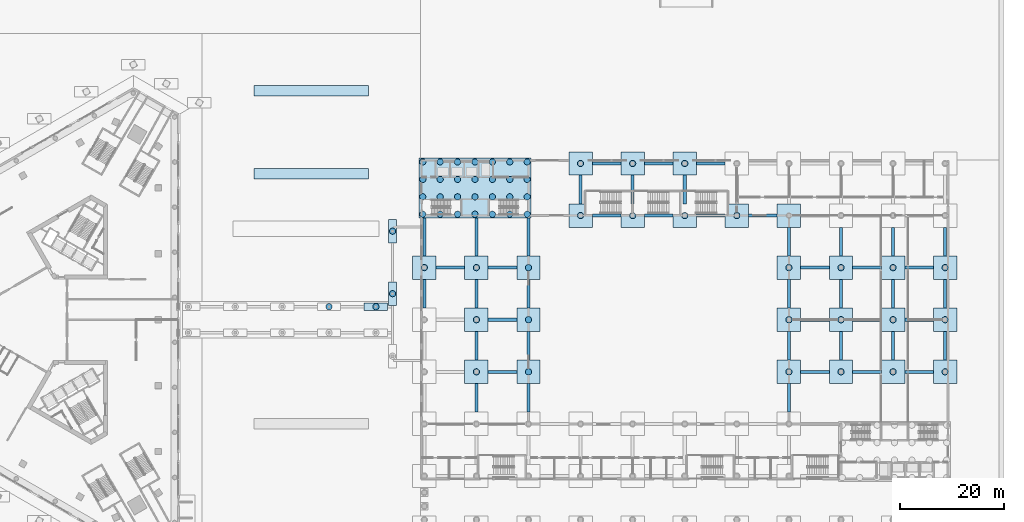
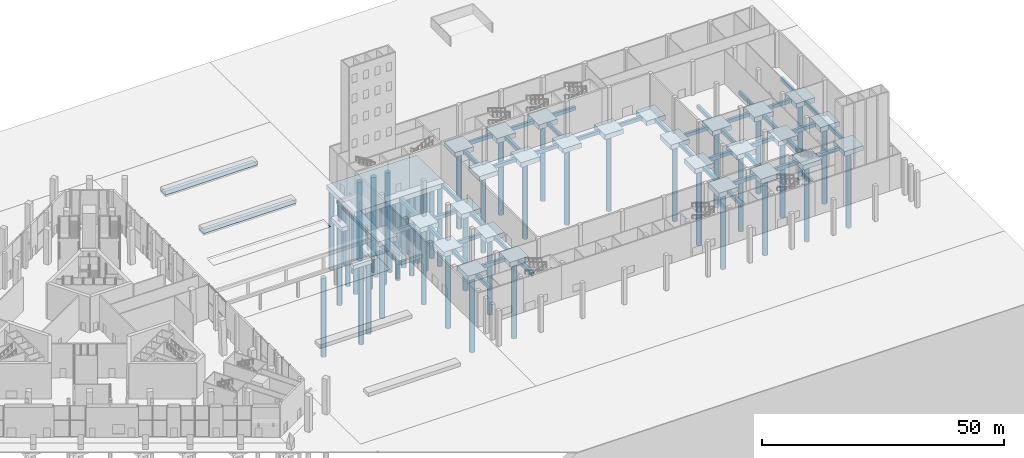
# One storey, part 3 of 63: 79 footings, 58 piles.
"""IFC4 building model written with IfcOpenShell, lengths in metres."""

from ifc_helpers import new_model, si_unit, direction, frame, origin, origin_2d, place, context, subcontext, project, spatial, polyline, rectangle, circle, outline, extrude, material, layer, layer_set, material_profile, profile_set, type_object, element, save


model = new_model("IFC4")

# Units and contexts
model_context = context("Model", 3, precision=1e-05, world=origin(), true_north=direction((0.0, 1.0)))
body_context = subcontext(model_context, "Body", "Model", "MODEL_VIEW")
ifc_project = project(units=[si_unit("LENGTHUNIT", "METRE"), si_unit("AREAUNIT", "SQUARE_METRE"), si_unit("VOLUMEUNIT", "CUBIC_METRE"), si_unit("PLANEANGLEUNIT", "RADIAN"), si_unit("MASSUNIT", "GRAM", prefix="KILO")], contexts=[model_context])

# Site, building, storey
site_placement = place(None, origin())
site = spatial("IfcSite", under=ifc_project, at=site_placement, CompositionType="ELEMENT")
building_placement = place(site_placement, origin())
building = spatial("IfcBuilding", under=site, at=building_placement, Name="Jabali Bay Hotel Tower and Convention Centre", CompositionType="ELEMENT")
storey_placement = place(building_placement, origin())
storey = spatial("IfcBuildingStorey", under=building, at=storey_placement, Name="L00", CompositionType="ELEMENT", Elevation=0.0)

# Piles
ifc_material_1 = material(Name="Concrete C45", Category="concrete")
ifc_material_profile_1 = material_profile(ifc_material_1, circle(Radius=0.60009765625, at=origin_2d()), Name="D1200")
ifc_profile_set_1 = profile_set([ifc_material_profile_1], Name="Concrete C45")
pile_type_1 = type_object("IfcPileType", Name="CC Bored Pile D1200", PredefinedType="BORED", material=ifc_profile_set_1)
for number, where, z_axis, x_axis, name in (
    (1, (150.699951171875, 90.0, -2.300048828125), (0.0, 0.0, -1.0), (1.0, 0.0, 0.0), "CC pile 5"),
    (2, (160.699951171875, 70.0, -2.300048828125), (0.0, 0.0, -1.0), (1.0, 0.0, 0.0), "CC pile 8"),
    (3, (160.699951171875, 80.0, -2.300048828125), (0.0, 0.0, -1.0), (1.0, 0.0, 0.0), "CC pile 9"),
    (4, (160.699951171875, 90.0, -2.300048828125), (0.0, 0.0, -1.0), (1.0, 0.0, 0.0), "CC pile 10"),
    (5, (170.699951171875, 70.0, -2.300048828125), (0.0, 0.0, -1.0), (1.0, 0.0, 0.0), "CC pile 13"),
    (6, (170.699951171875, 80.0, -2.300048828125), (0.0, 0.0, -1.0), (1.0, 0.0, 0.0), "CC pile 14"),
    (7, (170.699951171875, 90.0, -2.300048828125), (0.0, 0.0, -1.0), (1.0, 0.0, 0.0), "CC pile 15"),
    (8, (180.699951171875, 100.0, -2.300048828125), (0.0, 0.0, -1.0), (1.0, 0.0, 0.0), "CC pile 18"),
    (9, (180.699951171875, 110.0, -2.300048828125), (0.0, 0.0, -1.0), (1.0, 0.0, 0.0), "CC pile 19"),
    (10, (190.699951171875, 100.0, -2.300048828125), (0.0, 0.0, -1.0), (1.0, 0.0, 0.0), "CC pile 22"),
    (11, (190.699951171875, 110.0, -2.300048828125), (0.0, 0.0, -1.0), (1.0, 0.0, 0.0), "CC pile 23"),
    (12, (200.699951171875, 100.0, -2.300048828125), (0.0, 0.0, -1.0), (1.0, 0.0, 0.0), "CC pile 26"),
    (13, (200.699951171875, 110.0, -2.300048828125), (0.0, 0.0, -1.0), (1.0, 0.0, 0.0), "CC pile 27"),
    (14, (210.699951171875, 100.0, -2.300048828125), (0.0, 0.0, -1.0), (1.0, 0.0, 0.0), "CC pile 30"),
    (15, (220.699951171875, 70.0, -2.300048828125), (0.0, 0.0, -1.0), (1.0, 0.0, 0.0), "CC pile 34"),
    (16, (220.699951171875, 80.0, -2.300048828125), (0.0, 0.0, -1.0), (1.0, 0.0, 0.0), "CC pile 35"),
    (17, (220.699951171875, 90.0, -2.300048828125), (0.0, 0.0, -1.0), (1.0, 0.0, 0.0), "CC pile 36"),
    (18, (230.699951171875, 70.0, -2.300048828125), (0.0, 0.0, -1.0), (1.0, 0.0, 0.0), "CC pile 39"),
    (19, (230.699951171875, 80.0, -2.300048828125), (0.0, 0.0, -1.0), (1.0, 0.0, 0.0), "CC pile 40"),
    (20, (230.699951171875, 90.0, -2.300048828125), (0.0, 0.0, -1.0), (1.0, 0.0, 0.0), "CC pile 41"),
    (21, (240.699951171875, 70.0, -2.300048828125), (0.0, 0.0, -1.0), (1.0, 0.0, 0.0), "CC pile 44"),
    (22, (240.699951171875, 80.0, -2.300048828125), (0.0, 0.0, -1.0), (1.0, 0.0, 0.0), "CC pile 45"),
    (23, (240.699951171875, 90.0, -2.300048828125), (0.0, 0.0, -1.0), (1.0, 0.0, 0.0), "CC pile 46"),
    (24, (250.699951171875, 70.0, -2.300048828125), (0.0, 0.0, -1.0), (1.0, 0.0, 0.0), "CC pile 49"),
    (25, (250.699951171875, 80.0, -2.300048828125), (0.0, 0.0, -1.0), (1.0, 0.0, 0.0), "CC pile 50"),
    (26, (250.699951171875, 90.0, -2.300048828125), (0.0, 0.0, -1.0), (1.0, 0.0, 0.0), "CC pile 51"),
    (27, (150.39990234375, 100.25, -2.300048828125), (0.0, 0.0, -1.0), (1.0, 0.0, 0.0), "CC pile 54"),
    (28, (150.39990234375, 103.60009765625, -2.300048828125), (0.0, 0.0, -1.0), (1.0, 0.0, 0.0), "CC pile 55"),
    (29, (150.39990234375, 106.949951171875, -2.300048828125), (0.0, 0.0, -1.0), (1.0, 0.0, 0.0), "CC pile 56"),
    (30, (150.39990234375, 110.300048828125, -2.300048828125), (0.0, 0.0, -1.0), (1.0, 0.0, 0.0), "CC pile 57"),
    (31, (153.74169921875, 100.25, -2.300048828125), (0.0, 0.0, -1.0), (1.0, 0.0, 0.0), "CC pile 58"),
    (32, (153.74169921875, 103.60009765625, -2.300048828125), (0.0, 0.0, -1.0), (1.0, 0.0, 0.0), "CC pile 59"),
    (33, (153.74169921875, 106.949951171875, -2.300048828125), (0.0, 0.0, -1.0), (1.0, 0.0, 0.0), "CC pile 60"),
    (34, (153.74169921875, 110.300048828125, -2.300048828125), (0.0, 0.0, -1.0), (1.0, 0.0, 0.0), "CC pile 61"),
    (35, (157.083251953125, 100.25, -2.300048828125), (0.0, 0.0, -1.0), (1.0, 0.0, 0.0), "CC pile 62"),
    (36, (157.083251953125, 103.60009765625, -2.300048828125), (0.0, 0.0, -1.0), (1.0, 0.0, 0.0), "CC pile 63"),
    (37, (157.083251953125, 106.949951171875, -2.300048828125), (0.0, 0.0, -1.0), (1.0, 0.0, 0.0), "CC pile 64"),
    (38, (157.083251953125, 110.300048828125, -2.300048828125), (0.0, 0.0, -1.0), (1.0, 0.0, 0.0), "CC pile 65"),
    (39, (160.425048828125, 100.25, -2.300048828125), (0.0, 0.0, -1.0), (1.0, 0.0, 0.0), "CC pile 66"),
    (40, (160.425048828125, 103.60009765625, -2.300048828125), (0.0, 0.0, -1.0), (1.0, 0.0, 0.0), "CC pile 67"),
    (41, (160.425048828125, 106.949951171875, -2.300048828125), (0.0, 0.0, -1.0), (1.0, 0.0, 0.0), "CC pile 68"),
    (42, (160.425048828125, 110.300048828125, -2.300048828125), (0.0, 0.0, -1.0), (1.0, 0.0, 0.0), "CC pile 69"),
    (43, (163.7666015625, 100.25, -2.300048828125), (0.0, 0.0, -1.0), (1.0, 0.0, 0.0), "CC pile 70"),
    (44, (163.7666015625, 103.60009765625, -2.300048828125), (0.0, 0.0, -1.0), (1.0, 0.0, 0.0), "CC pile 71"),
    (45, (163.7666015625, 106.949951171875, -2.300048828125), (0.0, 0.0, -1.0), (1.0, 0.0, 0.0), "CC pile 72"),
    (46, (163.7666015625, 110.300048828125, -2.300048828125), (0.0, 0.0, -1.0), (1.0, 0.0, 0.0), "CC pile 73"),
    (47, (167.1083984375, 100.25, -2.300048828125), (0.0, 0.0, -1.0), (1.0, 0.0, 0.0), "CC pile 74"),
    (48, (167.1083984375, 103.60009765625, -2.300048828125), (0.0, 0.0, -1.0), (1.0, 0.0, 0.0), "CC pile 75"),
    (49, (167.1083984375, 106.949951171875, -2.300048828125), (0.0, 0.0, -1.0), (1.0, 0.0, 0.0), "CC pile 76"),
    (50, (167.1083984375, 110.300048828125, -2.300048828125), (0.0, 0.0, -1.0), (1.0, 0.0, 0.0), "CC pile 77"),
    (51, (170.449951171875, 100.25, -2.300048828125), (0.0, 0.0, -1.0), (1.0, 0.0, 0.0), "CC pile 78"),
    (52, (170.449951171875, 103.60009765625, -2.300048828125), (0.0, 0.0, -1.0), (1.0, 0.0, 0.0), "CC pile 79"),
    (53, (170.449951171875, 106.949951171875, -2.300048828125), (0.0, 0.0, -1.0), (1.0, 0.0, 0.0), "CC pile 80"),
    (54, (170.449951171875, 110.300048828125, -2.300048828125), (0.0, 0.0, -1.0), (1.0, 0.0, 0.0), "CC pile 81"),
    (55, (144.60009765625, 85.0, -1.10009765625), (0.0, 0.0, -1.0), (1.0, 0.0, 0.0), "CC pile 111"),
    (56, (144.60009765625, 97.0, -1.10009765625), (0.0, 0.0, -1.0), (1.0, 0.0, 0.0), "CC pile 112"),
):
    element("IfcPile", number, at=place(storey_placement, frame(where, z_axis=z_axis, x_axis=x_axis)), inside=storey, type_object=pile_type_1, Name=name, PredefinedType="BORED", context=body_context, shape_type="SweptSolid", body=[
        extrude(circle(Radius=0.60009765625, at=origin_2d()), origin(), (0.0, 0.0, 1.0), 20.0),
    ])

# Footings
footing_type_1 = type_object("IfcFootingType", Name="CC Canopy Pad Cap 1500x4500x1000", PredefinedType="PILE_CAP", material=ifc_material_1)
footing_1_placement = place(storey_placement, frame((0.0, 0.0, -1.199951171875)))
element("IfcFooting", 57, at=footing_1_placement, inside=storey, type_object=footing_type_1, Name="CC canopy pad cap 2", PredefinedType="PILE_CAP", context=body_context, shape_type="SweptSolid", body=[
    extrude(outline(polyline([(143.85009765625, 82.75), (145.35009765625, 82.75), (145.35009765625, 87.25), (143.85009765625, 87.25), (143.85009765625, 82.75)])), origin(), (0.0, 0.0, 1.0), 1.0),
])
footing_2_placement = place(storey_placement, frame((0.0, 0.0, -1.199951171875)))
element("IfcFooting", 58, at=footing_2_placement, inside=storey, type_object=footing_type_1, Name="CC canopy pad cap 3", PredefinedType="PILE_CAP", context=body_context, shape_type="SweptSolid", body=[
    extrude(outline(polyline([(143.85009765625, 94.75), (145.35009765625, 94.75), (145.35009765625, 99.25), (143.85009765625, 99.25), (143.85009765625, 94.75)])), origin(), (0.0, 0.0, 1.0), 1.0),
])
ifc_layer = layer(ifc_material_1, 1.199951171875)
ifc_layer_set = layer_set([ifc_layer], Name="Concrete C45")
footing_type_2 = type_object("IfcFootingType", Name="CC Core Raft 1200", PredefinedType="PILE_CAP", material=ifc_layer_set)
footing_3_placement = place(storey_placement, frame((0.0, 0.0, -2.39990234375)))
element("IfcFooting", 59, at=footing_3_placement, inside=storey, type_object=footing_type_2, Name="CC west core raft", PredefinedType="PILE_CAP", context=body_context, shape_type="SweptSolid", body=[
    extrude(outline(polyline([(149.64990234375, 99.5), (171.199951171875, 99.5), (171.199951171875, 111.050048828125), (149.64990234375, 111.050048828125), (149.64990234375, 99.5)])), origin(), (0.0, 0.0, 1.0), 1.199951171875),
])
ifc_material_profile_2 = material_profile(ifc_material_1, rectangle(XDim=0.60009765625, YDim=0.89990234375, at=origin_2d()), Name="RC 600x900")
ifc_profile_set_2 = profile_set([ifc_material_profile_2], Name="Concrete C45")
footing_type_3 = type_object("IfcFootingType", Name="CC Ground Beam 600x900", PredefinedType="FOOTING_BEAM", material=ifc_profile_set_2)
for number, where, z_axis, x_axis, name in (
    (60, (150.699951171875, 82.25, -1.64990234375), (0.0, 1.0, 0.0), (-1.0, 0.0, 0.0), "CC ground beam CC1/D"),
    (61, (152.949951171875, 90.0, -1.64990234375), (1.0, 0.0, 0.0), (0.0, 1.0, 0.0), "CC ground beam CC1/E"),
):
    element("IfcFooting", number, at=place(storey_placement, frame(where, z_axis=z_axis, x_axis=x_axis)), inside=storey, type_object=footing_type_3, Name=name, PredefinedType="FOOTING_BEAM", context=body_context, shape_type="SweptSolid", body=[
        extrude(rectangle(XDim=0.60009765625, YDim=0.89990234375, at=origin_2d()), origin(), (0.0, 0.0, 1.0), 5.5),
    ])
footing_4_placement = place(storey_placement, frame((150.699951171875, 92.25, -1.64990234375), z_axis=(0.0, 1.0, 0.0), x_axis=(-1.0, 0.0, 0.0)))
element("IfcFooting", 62, at=footing_4_placement, inside=storey, type_object=footing_type_3, Name="CC ground beam CC1/E", PredefinedType="FOOTING_BEAM", context=body_context, shape_type="SweptSolid", body=[
    extrude(rectangle(XDim=0.60009765625, YDim=0.89990234375, at=origin_2d()), origin(), (0.0, 0.0, 1.0), 7.25),
])
for number, where, z_axis, x_axis, name in (
    (63, (160.699951171875, 62.25, -1.64990234375), (0.0, 1.0, 0.0), (-1.0, 0.0, 0.0), "CC ground beam CC2/B"),
    (64, (162.949951171875, 70.0, -1.64990234375), (1.0, 0.0, 0.0), (0.0, 1.0, 0.0), "CC ground beam CC2/C"),
    (65, (160.699951171875, 72.25, -1.64990234375), (0.0, 1.0, 0.0), (-1.0, 0.0, 0.0), "CC ground beam CC2/C"),
    (66, (162.949951171875, 80.0, -1.64990234375), (1.0, 0.0, 0.0), (0.0, 1.0, 0.0), "CC ground beam CC2/D"),
    (67, (160.699951171875, 82.25, -1.64990234375), (0.0, 1.0, 0.0), (-1.0, 0.0, 0.0), "CC ground beam CC2/D"),
    (68, (162.949951171875, 90.0, -1.64990234375), (1.0, 0.0, 0.0), (0.0, 1.0, 0.0), "CC ground beam CC2/E"),
):
    element("IfcFooting", number, at=place(storey_placement, frame(where, z_axis=z_axis, x_axis=x_axis)), inside=storey, type_object=footing_type_3, Name=name, PredefinedType="FOOTING_BEAM", context=body_context, shape_type="SweptSolid", body=[
        extrude(rectangle(XDim=0.60009765625, YDim=0.89990234375, at=origin_2d()), origin(), (0.0, 0.0, 1.0), 5.5),
    ])
footing_5_placement = place(storey_placement, frame((160.699951171875, 92.25, -1.64990234375), z_axis=(0.0, 1.0, 0.0), x_axis=(-1.0, 0.0, 0.0)))
element("IfcFooting", 69, at=footing_5_placement, inside=storey, type_object=footing_type_3, Name="CC ground beam CC2/E", PredefinedType="FOOTING_BEAM", context=body_context, shape_type="SweptSolid", body=[
    extrude(rectangle(XDim=0.60009765625, YDim=0.89990234375, at=origin_2d()), origin(), (0.0, 0.0, 1.0), 7.25),
])
for number, where, z_axis, x_axis, name in (
    (70, (170.699951171875, 62.25, -1.64990234375), (0.0, 1.0, 0.0), (-1.0, 0.0, 0.0), "CC ground beam CC3/B"),
    (71, (170.699951171875, 72.25, -1.64990234375), (0.0, 1.0, 0.0), (-1.0, 0.0, 0.0), "CC ground beam CC3/C"),
    (72, (170.699951171875, 82.25, -1.64990234375), (0.0, 1.0, 0.0), (-1.0, 0.0, 0.0), "CC ground beam CC3/D"),
):
    element("IfcFooting", number, at=place(storey_placement, frame(where, z_axis=z_axis, x_axis=x_axis)), inside=storey, type_object=footing_type_3, Name=name, PredefinedType="FOOTING_BEAM", context=body_context, shape_type="SweptSolid", body=[
        extrude(rectangle(XDim=0.60009765625, YDim=0.89990234375, at=origin_2d()), origin(), (0.0, 0.0, 1.0), 5.5),
    ])
footing_6_placement = place(storey_placement, frame((170.699951171875, 92.25, -1.64990234375), z_axis=(0.0, 1.0, 0.0), x_axis=(-1.0, 0.0, 0.0)))
element("IfcFooting", 73, at=footing_6_placement, inside=storey, type_object=footing_type_3, Name="CC ground beam CC3/E", PredefinedType="FOOTING_BEAM", context=body_context, shape_type="SweptSolid", body=[
    extrude(rectangle(XDim=0.60009765625, YDim=0.89990234375, at=origin_2d()), origin(), (0.0, 0.0, 1.0), 7.25),
])
for number, where, z_axis, x_axis, name in (
    (74, (182.949951171875, 100.0, -1.64990234375), (1.0, 0.0, 0.0), (0.0, 1.0, 0.0), "CC ground beam CC4/F"),
    (75, (180.699951171875, 102.25, -1.64990234375), (0.0, 1.0, 0.0), (-1.0, 0.0, 0.0), "CC ground beam CC4/F"),
    (76, (182.949951171875, 110.0, -1.64990234375), (1.0, 0.0, 0.0), (0.0, 1.0, 0.0), "CC ground beam CC4/G"),
    (77, (192.949951171875, 100.0, -1.64990234375), (1.0, 0.0, 0.0), (0.0, 1.0, 0.0), "CC ground beam CC5/F"),
    (78, (190.699951171875, 102.25, -1.64990234375), (0.0, 1.0, 0.0), (-1.0, 0.0, 0.0), "CC ground beam CC5/F"),
    (79, (192.949951171875, 110.0, -1.64990234375), (1.0, 0.0, 0.0), (0.0, 1.0, 0.0), "CC ground beam CC5/G"),
    (80, (202.949951171875, 100.0, -1.64990234375), (1.0, 0.0, 0.0), (0.0, 1.0, 0.0), "CC ground beam CC6/F"),
    (81, (200.699951171875, 102.25, -1.64990234375), (0.0, 1.0, 0.0), (-1.0, 0.0, 0.0), "CC ground beam CC6/F"),
    (82, (202.949951171875, 110.0, -1.64990234375), (1.0, 0.0, 0.0), (0.0, 1.0, 0.0), "CC ground beam CC6/G"),
    (83, (212.949951171875, 100.0, -1.64990234375), (1.0, 0.0, 0.0), (0.0, 1.0, 0.0), "CC ground beam CC7/F"),
    (84, (220.699951171875, 62.25, -1.64990234375), (0.0, 1.0, 0.0), (-1.0, 0.0, 0.0), "CC ground beam CC8/B"),
    (85, (222.949951171875, 70.0, -1.64990234375), (1.0, 0.0, 0.0), (0.0, 1.0, 0.0), "CC ground beam CC8/C"),
    (86, (220.699951171875, 72.25, -1.64990234375), (0.0, 1.0, 0.0), (-1.0, 0.0, 0.0), "CC ground beam CC8/C"),
    (87, (222.949951171875, 80.0, -1.64990234375), (1.0, 0.0, 0.0), (0.0, 1.0, 0.0), "CC ground beam CC8/D"),
    (88, (220.699951171875, 82.25, -1.64990234375), (0.0, 1.0, 0.0), (-1.0, 0.0, 0.0), "CC ground beam CC8/D"),
    (89, (222.949951171875, 90.0, -1.64990234375), (1.0, 0.0, 0.0), (0.0, 1.0, 0.0), "CC ground beam CC8/E"),
    (90, (220.699951171875, 92.25, -1.64990234375), (0.0, 1.0, 0.0), (-1.0, 0.0, 0.0), "CC ground beam CC8/E"),
    (91, (232.949951171875, 70.0, -1.64990234375), (1.0, 0.0, 0.0), (0.0, 1.0, 0.0), "CC ground beam CC9/C"),
    (92, (230.699951171875, 72.25, -1.64990234375), (0.0, 1.0, 0.0), (-1.0, 0.0, 0.0), "CC ground beam CC9/C"),
    (93, (232.949951171875, 80.0, -1.64990234375), (1.0, 0.0, 0.0), (0.0, 1.0, 0.0), "CC ground beam CC9/D"),
    (94, (230.699951171875, 82.25, -1.64990234375), (0.0, 1.0, 0.0), (-1.0, 0.0, 0.0), "CC ground beam CC9/D"),
    (95, (232.949951171875, 90.0, -1.64990234375), (1.0, 0.0, 0.0), (0.0, 1.0, 0.0), "CC ground beam CC9/E"),
    (96, (230.699951171875, 92.25, -1.64990234375), (0.0, 1.0, 0.0), (-1.0, 0.0, 0.0), "CC ground beam CC9/E"),
    (97, (242.949951171875, 70.0, -1.64990234375), (1.0, 0.0, 0.0), (0.0, 1.0, 0.0), "CC ground beam CC10/C"),
    (98, (240.699951171875, 72.25, -1.64990234375), (0.0, 1.0, 0.0), (-1.0, 0.0, 0.0), "CC ground beam CC10/C"),
    (99, (242.949951171875, 80.0, -1.64990234375), (1.0, 0.0, 0.0), (0.0, 1.0, 0.0), "CC ground beam CC10/D"),
    (100, (240.699951171875, 82.25, -1.64990234375), (0.0, 1.0, 0.0), (-1.0, 0.0, 0.0), "CC ground beam CC10/D"),
    (101, (242.949951171875, 90.0, -1.64990234375), (1.0, 0.0, 0.0), (0.0, 1.0, 0.0), "CC ground beam CC10/E"),
    (102, (240.699951171875, 92.25, -1.64990234375), (0.0, 1.0, 0.0), (-1.0, 0.0, 0.0), "CC ground beam CC10/E"),
    (103, (250.699951171875, 72.25, -1.64990234375), (0.0, 1.0, 0.0), (-1.0, 0.0, 0.0), "CC ground beam CC11/C"),
    (104, (250.699951171875, 82.25, -1.64990234375), (0.0, 1.0, 0.0), (-1.0, 0.0, 0.0), "CC ground beam CC11/D"),
    (105, (250.699951171875, 92.25, -1.64990234375), (0.0, 1.0, 0.0), (-1.0, 0.0, 0.0), "CC ground beam CC11/E"),
):
    element("IfcFooting", number, at=place(storey_placement, frame(where, z_axis=z_axis, x_axis=x_axis)), inside=storey, type_object=footing_type_3, Name=name, PredefinedType="FOOTING_BEAM", context=body_context, shape_type="SweptSolid", body=[
        extrude(rectangle(XDim=0.60009765625, YDim=0.89990234375, at=origin_2d()), origin(), (0.0, 0.0, 1.0), 5.5),
    ])
footing_type_4 = type_object("IfcFootingType", Name="CC Pile Cap 4500x4500x1200", PredefinedType="PILE_CAP", material=ifc_material_1)
footing_7_placement = place(storey_placement, frame((0.0, 0.0, -2.39990234375)))
element("IfcFooting", 106, at=footing_7_placement, inside=storey, type_object=footing_type_4, Name="CC pile cap CC1/E", PredefinedType="PILE_CAP", context=body_context, shape_type="SweptSolid", body=[
    extrude(outline(polyline([(148.449951171875, 87.75), (152.949951171875, 87.75), (152.949951171875, 92.25), (148.449951171875, 92.25), (148.449951171875, 87.75)])), origin(), (0.0, 0.0, 1.0), 1.199951171875),
])
footing_8_placement = place(storey_placement, frame((0.0, 0.0, -2.39990234375)))
element("IfcFooting", 107, at=footing_8_placement, inside=storey, type_object=footing_type_4, Name="CC pile cap CC2/C", PredefinedType="PILE_CAP", context=body_context, shape_type="SweptSolid", body=[
    extrude(outline(polyline([(158.449951171875, 67.75), (162.949951171875, 67.75), (162.949951171875, 72.25), (158.449951171875, 72.25), (158.449951171875, 67.75)])), origin(), (0.0, 0.0, 1.0), 1.199951171875),
])
footing_9_placement = place(storey_placement, frame((0.0, 0.0, -2.39990234375)))
element("IfcFooting", 108, at=footing_9_placement, inside=storey, type_object=footing_type_4, Name="CC pile cap CC2/D", PredefinedType="PILE_CAP", context=body_context, shape_type="SweptSolid", body=[
    extrude(outline(polyline([(158.449951171875, 77.75), (162.949951171875, 77.75), (162.949951171875, 82.25), (158.449951171875, 82.25), (158.449951171875, 77.75)])), origin(), (0.0, 0.0, 1.0), 1.199951171875),
])
footing_10_placement = place(storey_placement, frame((0.0, 0.0, -2.39990234375)))
element("IfcFooting", 109, at=footing_10_placement, inside=storey, type_object=footing_type_4, Name="CC pile cap CC2/E", PredefinedType="PILE_CAP", context=body_context, shape_type="SweptSolid", body=[
    extrude(outline(polyline([(158.449951171875, 87.75), (162.949951171875, 87.75), (162.949951171875, 92.25), (158.449951171875, 92.25), (158.449951171875, 87.75)])), origin(), (0.0, 0.0, 1.0), 1.199951171875),
])
footing_11_placement = place(storey_placement, frame((0.0, 0.0, -2.39990234375)))
element("IfcFooting", 110, at=footing_11_placement, inside=storey, type_object=footing_type_4, Name="CC pile cap CC3/C", PredefinedType="PILE_CAP", context=body_context, shape_type="SweptSolid", body=[
    extrude(outline(polyline([(168.449951171875, 67.75), (172.949951171875, 67.75), (172.949951171875, 72.25), (168.449951171875, 72.25), (168.449951171875, 67.75)])), origin(), (0.0, 0.0, 1.0), 1.199951171875),
])
footing_12_placement = place(storey_placement, frame((0.0, 0.0, -2.39990234375)))
element("IfcFooting", 111, at=footing_12_placement, inside=storey, type_object=footing_type_4, Name="CC pile cap CC3/D", PredefinedType="PILE_CAP", context=body_context, shape_type="SweptSolid", body=[
    extrude(outline(polyline([(168.449951171875, 77.75), (172.949951171875, 77.75), (172.949951171875, 82.25), (168.449951171875, 82.25), (168.449951171875, 77.75)])), origin(), (0.0, 0.0, 1.0), 1.199951171875),
])
footing_13_placement = place(storey_placement, frame((0.0, 0.0, -2.39990234375)))
element("IfcFooting", 112, at=footing_13_placement, inside=storey, type_object=footing_type_4, Name="CC pile cap CC3/E", PredefinedType="PILE_CAP", context=body_context, shape_type="SweptSolid", body=[
    extrude(outline(polyline([(168.449951171875, 87.75), (172.949951171875, 87.75), (172.949951171875, 92.25), (168.449951171875, 92.25), (168.449951171875, 87.75)])), origin(), (0.0, 0.0, 1.0), 1.199951171875),
])
footing_14_placement = place(storey_placement, frame((0.0, 0.0, -2.39990234375)))
element("IfcFooting", 113, at=footing_14_placement, inside=storey, type_object=footing_type_4, Name="CC pile cap CC4/F", PredefinedType="PILE_CAP", context=body_context, shape_type="SweptSolid", body=[
    extrude(outline(polyline([(178.449951171875, 97.75), (182.949951171875, 97.75), (182.949951171875, 102.25), (178.449951171875, 102.25), (178.449951171875, 97.75)])), origin(), (0.0, 0.0, 1.0), 1.199951171875),
])
footing_15_placement = place(storey_placement, frame((0.0, 0.0, -2.39990234375)))
element("IfcFooting", 114, at=footing_15_placement, inside=storey, type_object=footing_type_4, Name="CC pile cap CC4/G", PredefinedType="PILE_CAP", context=body_context, shape_type="SweptSolid", body=[
    extrude(outline(polyline([(178.449951171875, 107.75), (182.949951171875, 107.75), (182.949951171875, 112.25), (178.449951171875, 112.25), (178.449951171875, 107.75)])), origin(), (0.0, 0.0, 1.0), 1.199951171875),
])
footing_16_placement = place(storey_placement, frame((0.0, 0.0, -2.39990234375)))
element("IfcFooting", 115, at=footing_16_placement, inside=storey, type_object=footing_type_4, Name="CC pile cap CC5/F", PredefinedType="PILE_CAP", context=body_context, shape_type="SweptSolid", body=[
    extrude(outline(polyline([(188.449951171875, 97.75), (192.949951171875, 97.75), (192.949951171875, 102.25), (188.449951171875, 102.25), (188.449951171875, 97.75)])), origin(), (0.0, 0.0, 1.0), 1.199951171875),
])
footing_17_placement = place(storey_placement, frame((0.0, 0.0, -2.39990234375)))
element("IfcFooting", 116, at=footing_17_placement, inside=storey, type_object=footing_type_4, Name="CC pile cap CC5/G", PredefinedType="PILE_CAP", context=body_context, shape_type="SweptSolid", body=[
    extrude(outline(polyline([(188.449951171875, 107.75), (192.949951171875, 107.75), (192.949951171875, 112.25), (188.449951171875, 112.25), (188.449951171875, 107.75)])), origin(), (0.0, 0.0, 1.0), 1.199951171875),
])
footing_18_placement = place(storey_placement, frame((0.0, 0.0, -2.39990234375)))
element("IfcFooting", 117, at=footing_18_placement, inside=storey, type_object=footing_type_4, Name="CC pile cap CC6/F", PredefinedType="PILE_CAP", context=body_context, shape_type="SweptSolid", body=[
    extrude(outline(polyline([(198.449951171875, 97.75), (202.949951171875, 97.75), (202.949951171875, 102.25), (198.449951171875, 102.25), (198.449951171875, 97.75)])), origin(), (0.0, 0.0, 1.0), 1.199951171875),
])
footing_19_placement = place(storey_placement, frame((0.0, 0.0, -2.39990234375)))
element("IfcFooting", 118, at=footing_19_placement, inside=storey, type_object=footing_type_4, Name="CC pile cap CC6/G", PredefinedType="PILE_CAP", context=body_context, shape_type="SweptSolid", body=[
    extrude(outline(polyline([(198.449951171875, 107.75), (202.949951171875, 107.75), (202.949951171875, 112.25), (198.449951171875, 112.25), (198.449951171875, 107.75)])), origin(), (0.0, 0.0, 1.0), 1.199951171875),
])
footing_20_placement = place(storey_placement, frame((0.0, 0.0, -2.39990234375)))
element("IfcFooting", 119, at=footing_20_placement, inside=storey, type_object=footing_type_4, Name="CC pile cap CC7/F", PredefinedType="PILE_CAP", context=body_context, shape_type="SweptSolid", body=[
    extrude(outline(polyline([(208.449951171875, 97.75), (212.949951171875, 97.75), (212.949951171875, 102.25), (208.449951171875, 102.25), (208.449951171875, 97.75)])), origin(), (0.0, 0.0, 1.0), 1.199951171875),
])
footing_21_placement = place(storey_placement, frame((0.0, 0.0, -2.39990234375)))
element("IfcFooting", 120, at=footing_21_placement, inside=storey, type_object=footing_type_4, Name="CC pile cap CC8/C", PredefinedType="PILE_CAP", context=body_context, shape_type="SweptSolid", body=[
    extrude(outline(polyline([(218.449951171875, 67.75), (222.949951171875, 67.75), (222.949951171875, 72.25), (218.449951171875, 72.25), (218.449951171875, 67.75)])), origin(), (0.0, 0.0, 1.0), 1.199951171875),
])
footing_22_placement = place(storey_placement, frame((0.0, 0.0, -2.39990234375)))
element("IfcFooting", 121, at=footing_22_placement, inside=storey, type_object=footing_type_4, Name="CC pile cap CC8/D", PredefinedType="PILE_CAP", context=body_context, shape_type="SweptSolid", body=[
    extrude(outline(polyline([(218.449951171875, 77.75), (222.949951171875, 77.75), (222.949951171875, 82.25), (218.449951171875, 82.25), (218.449951171875, 77.75)])), origin(), (0.0, 0.0, 1.0), 1.199951171875),
])
footing_23_placement = place(storey_placement, frame((0.0, 0.0, -2.39990234375)))
element("IfcFooting", 122, at=footing_23_placement, inside=storey, type_object=footing_type_4, Name="CC pile cap CC8/E", PredefinedType="PILE_CAP", context=body_context, shape_type="SweptSolid", body=[
    extrude(outline(polyline([(218.449951171875, 87.75), (222.949951171875, 87.75), (222.949951171875, 92.25), (218.449951171875, 92.25), (218.449951171875, 87.75)])), origin(), (0.0, 0.0, 1.0), 1.199951171875),
])
footing_24_placement = place(storey_placement, frame((0.0, 0.0, -2.39990234375)))
element("IfcFooting", 123, at=footing_24_placement, inside=storey, type_object=footing_type_4, Name="CC pile cap CC8/F", PredefinedType="PILE_CAP", context=body_context, shape_type="SweptSolid", body=[
    extrude(outline(polyline([(218.449951171875, 97.75), (222.949951171875, 97.75), (222.949951171875, 102.25), (218.449951171875, 102.25), (218.449951171875, 97.75)])), origin(), (0.0, 0.0, 1.0), 1.199951171875),
])
footing_25_placement = place(storey_placement, frame((0.0, 0.0, -2.39990234375)))
element("IfcFooting", 124, at=footing_25_placement, inside=storey, type_object=footing_type_4, Name="CC pile cap CC9/C", PredefinedType="PILE_CAP", context=body_context, shape_type="SweptSolid", body=[
    extrude(outline(polyline([(228.449951171875, 67.75), (232.949951171875, 67.75), (232.949951171875, 72.25), (228.449951171875, 72.25), (228.449951171875, 67.75)])), origin(), (0.0, 0.0, 1.0), 1.199951171875),
])
footing_26_placement = place(storey_placement, frame((0.0, 0.0, -2.39990234375)))
element("IfcFooting", 125, at=footing_26_placement, inside=storey, type_object=footing_type_4, Name="CC pile cap CC9/D", PredefinedType="PILE_CAP", context=body_context, shape_type="SweptSolid", body=[
    extrude(outline(polyline([(228.449951171875, 77.75), (232.949951171875, 77.75), (232.949951171875, 82.25), (228.449951171875, 82.25), (228.449951171875, 77.75)])), origin(), (0.0, 0.0, 1.0), 1.199951171875),
])
footing_27_placement = place(storey_placement, frame((0.0, 0.0, -2.39990234375)))
element("IfcFooting", 126, at=footing_27_placement, inside=storey, type_object=footing_type_4, Name="CC pile cap CC9/E", PredefinedType="PILE_CAP", context=body_context, shape_type="SweptSolid", body=[
    extrude(outline(polyline([(228.449951171875, 87.75), (232.949951171875, 87.75), (232.949951171875, 92.25), (228.449951171875, 92.25), (228.449951171875, 87.75)])), origin(), (0.0, 0.0, 1.0), 1.199951171875),
])
footing_28_placement = place(storey_placement, frame((0.0, 0.0, -2.39990234375)))
element("IfcFooting", 127, at=footing_28_placement, inside=storey, type_object=footing_type_4, Name="CC pile cap CC10/C", PredefinedType="PILE_CAP", context=body_context, shape_type="SweptSolid", body=[
    extrude(outline(polyline([(238.449951171875, 67.75), (242.949951171875, 67.75), (242.949951171875, 72.25), (238.449951171875, 72.25), (238.449951171875, 67.75)])), origin(), (0.0, 0.0, 1.0), 1.199951171875),
])
footing_29_placement = place(storey_placement, frame((0.0, 0.0, -2.39990234375)))
element("IfcFooting", 128, at=footing_29_placement, inside=storey, type_object=footing_type_4, Name="CC pile cap CC10/D", PredefinedType="PILE_CAP", context=body_context, shape_type="SweptSolid", body=[
    extrude(outline(polyline([(238.449951171875, 77.75), (242.949951171875, 77.75), (242.949951171875, 82.25), (238.449951171875, 82.25), (238.449951171875, 77.75)])), origin(), (0.0, 0.0, 1.0), 1.199951171875),
])
footing_30_placement = place(storey_placement, frame((0.0, 0.0, -2.39990234375)))
element("IfcFooting", 129, at=footing_30_placement, inside=storey, type_object=footing_type_4, Name="CC pile cap CC10/E", PredefinedType="PILE_CAP", context=body_context, shape_type="SweptSolid", body=[
    extrude(outline(polyline([(238.449951171875, 87.75), (242.949951171875, 87.75), (242.949951171875, 92.25), (238.449951171875, 92.25), (238.449951171875, 87.75)])), origin(), (0.0, 0.0, 1.0), 1.199951171875),
])
footing_31_placement = place(storey_placement, frame((0.0, 0.0, -2.39990234375)))
element("IfcFooting", 130, at=footing_31_placement, inside=storey, type_object=footing_type_4, Name="CC pile cap CC11/C", PredefinedType="PILE_CAP", context=body_context, shape_type="SweptSolid", body=[
    extrude(outline(polyline([(248.449951171875, 67.75), (252.949951171875, 67.75), (252.949951171875, 72.25), (248.449951171875, 72.25), (248.449951171875, 67.75)])), origin(), (0.0, 0.0, 1.0), 1.199951171875),
])
footing_32_placement = place(storey_placement, frame((0.0, 0.0, -2.39990234375)))
element("IfcFooting", 131, at=footing_32_placement, inside=storey, type_object=footing_type_4, Name="CC pile cap CC11/D", PredefinedType="PILE_CAP", context=body_context, shape_type="SweptSolid", body=[
    extrude(outline(polyline([(248.449951171875, 77.75), (252.949951171875, 77.75), (252.949951171875, 82.25), (248.449951171875, 82.25), (248.449951171875, 77.75)])), origin(), (0.0, 0.0, 1.0), 1.199951171875),
])
footing_33_placement = place(storey_placement, frame((0.0, 0.0, -2.39990234375)))
element("IfcFooting", 132, at=footing_33_placement, inside=storey, type_object=footing_type_4, Name="CC pile cap CC11/E", PredefinedType="PILE_CAP", context=body_context, shape_type="SweptSolid", body=[
    extrude(outline(polyline([(248.449951171875, 87.75), (252.949951171875, 87.75), (252.949951171875, 92.25), (248.449951171875, 92.25), (248.449951171875, 87.75)])), origin(), (0.0, 0.0, 1.0), 1.199951171875),
])

# Piles
ifc_material_profile_3 = material_profile(ifc_material_1, circle(Radius=0.60009765625, at=origin_2d()), Name="D1200")
ifc_profile_set_3 = profile_set([ifc_material_profile_3], Name="Concrete C45")
pile_type_2 = type_object("IfcPileType", Name="SI Bored Pile D1200", PredefinedType="BORED", material=ifc_profile_set_3)
for number, where, z_axis, x_axis, name in (
    (133, (132.39990234375, 82.5, -1.10009765625), (0.0, 0.0, -1.0), (1.0, 0.0, 0.0), "SI pile 8"),
    (134, (141.39990234375, 82.5, -1.10009765625), (0.0, 0.0, -1.0), (1.0, 0.0, 0.0), "SI pile 10"),
):
    element("IfcPile", number, at=place(storey_placement, frame(where, z_axis=z_axis, x_axis=x_axis)), inside=storey, type_object=pile_type_2, Name=name, PredefinedType="BORED", context=body_context, shape_type="SweptSolid", body=[
        extrude(circle(Radius=0.60009765625, at=origin_2d()), origin(), (0.0, 0.0, 1.0), 20.0),
    ])

# Footings
ifc_material_2 = material(Name="Concrete C30", Category="concrete")
footing_type_5 = type_object("IfcFootingType", Name="SI Low Wall Footing 500", PredefinedType="STRIP_FOOTING", material=ifc_material_2)
footing_34_placement = place(storey_placement, frame((0.0, 0.0, -0.5)))
element("IfcFooting", 135, at=footing_34_placement, inside=storey, type_object=footing_type_5, Name="Garden planter footing 3", PredefinedType="STRIP_FOOTING", context=body_context, shape_type="SweptSolid", body=[
    extrude(outline(polyline([(118.0, 109.0), (140.0, 109.0), (140.0, 107.0), (118.0, 107.0), (118.0, 109.0)])), origin(), (0.0, 0.0, 1.0), 0.5),
])
footing_35_placement = place(storey_placement, frame((0.0, 0.0, -0.5)))
element("IfcFooting", 136, at=footing_35_placement, inside=storey, type_object=footing_type_5, Name="Garden planter footing 4", PredefinedType="STRIP_FOOTING", context=body_context, shape_type="SweptSolid", body=[
    extrude(outline(polyline([(118.0, 125.0), (140.0, 125.0), (140.0, 123.0), (118.0, 123.0), (118.0, 125.0)])), origin(), (0.0, 0.0, 1.0), 0.5),
])
footing_type_6 = type_object("IfcFootingType", Name="SI Pad Cap 4500x1500x1000", PredefinedType="PILE_CAP", material=ifc_material_1)
footing_36_placement = place(storey_placement, frame((0.0, 0.0, -1.199951171875)))
element("IfcFooting", 137, at=footing_36_placement, inside=storey, type_object=footing_type_6, Name="SI colonnade pad cap 5.2", PredefinedType="PILE_CAP", context=body_context, shape_type="SweptSolid", body=[
    extrude(outline(polyline([(139.14990234375, 81.75), (143.64990234375, 81.75), (143.64990234375, 83.25), (139.14990234375, 83.25), (139.14990234375, 81.75)])), origin(), (0.0, 0.0, 1.0), 1.0),
])

save(model, "model.ifc")
